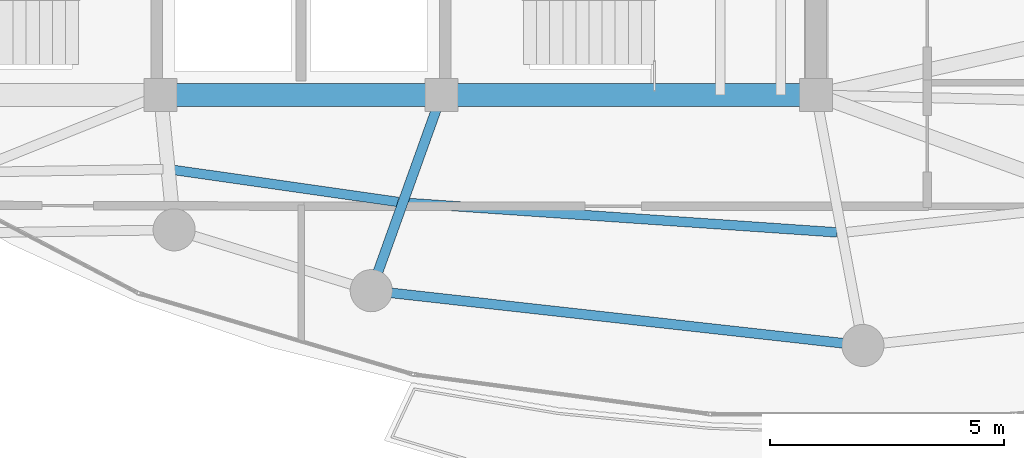
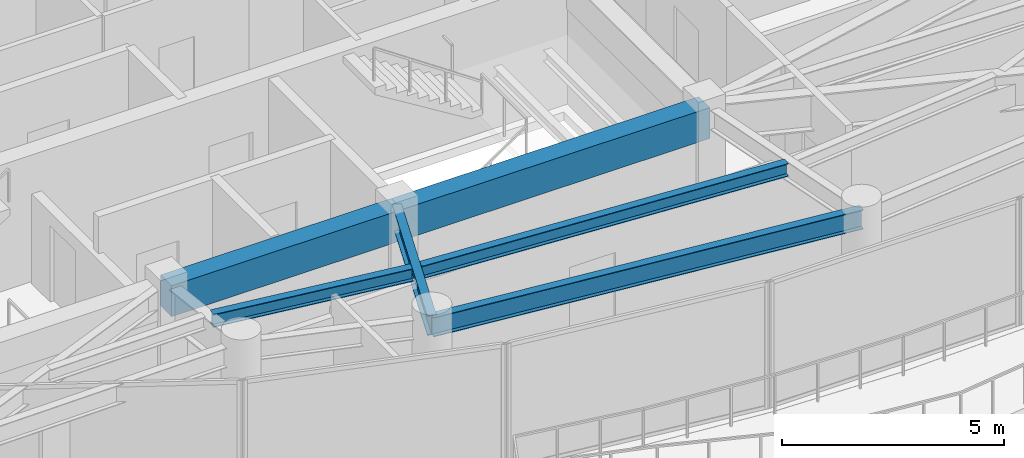
# One storey, part 6 of 29: 6 beams.
"""IFC4 building model written with IfcOpenShell, lengths in metres."""

from ifc_helpers import new_model, si_unit, direction, frame, origin, origin_2d, place, context, subcontext, project, spatial, rectangle, i_section, extrude, material, material_profile, profile_set, type_object, element, save


model = new_model("IFC4")

# Units and contexts
model_context = context("Model", 3, precision=1e-05, world=origin(), true_north=direction((0.0, 1.0)))
body_context = subcontext(model_context, "Body", "Model", "MODEL_VIEW")
ifc_project = project(units=[si_unit("LENGTHUNIT", "METRE"), si_unit("AREAUNIT", "SQUARE_METRE"), si_unit("VOLUMEUNIT", "CUBIC_METRE"), si_unit("PLANEANGLEUNIT", "RADIAN"), si_unit("MASSUNIT", "GRAM", prefix="KILO")], contexts=[model_context])

# Site, building, storey
site_placement = place(None, origin())
site = spatial("IfcSite", under=ifc_project, at=site_placement, CompositionType="ELEMENT")
building_placement = place(site_placement, origin())
building = spatial("IfcBuilding", under=site, at=building_placement, Name="Kazevale Care Tower and Concert Hall", CompositionType="ELEMENT")
storey_placement = place(building_placement, frame((0.0, 0.0, 289.0)))
storey = spatial("IfcBuildingStorey", under=building, at=storey_placement, Name="L76", CompositionType="ELEMENT", Elevation=289.0)

# Beams
ifc_material_1 = material(Name="Concrete C60", Category="concrete")
ifc_material_profile_1 = material_profile(ifc_material_1, rectangle(XDim=0.5, YDim=0.85009765625, at=origin_2d()), Name="RC-B500x850")
ifc_profile_set_1 = profile_set([ifc_material_profile_1], Name="Concrete C60")
beam_type_1 = type_object("IfcBeamType", Name="Core Coupling Beam RC500x850", PredefinedType="LINTEL", material=ifc_profile_set_1)
beam_1_placement = place(storey_placement, frame((30.0, 23.60009765625, 3.054931640625), z_axis=(1.0, 0.0, 0.0), x_axis=(0.0, 1.0, 0.0)))
element("IfcBeam", 1, at=beam_1_placement, inside=storey, type_object=beam_type_1, Name="beam:L76:coretie:2", PredefinedType="LINTEL", context=body_context, shape_type="SweptSolid", body=[
    extrude(rectangle(XDim=0.5, YDim=0.85009765625, at=origin_2d()), origin(), (0.0, 0.0, 1.0), 6.0),
])
beam_2_placement = place(storey_placement, frame((36.0, 23.60009765625, 3.054931640625), z_axis=(1.0, 0.0, 0.0), x_axis=(0.0, 1.0, 0.0)))
element("IfcBeam", 2, at=beam_2_placement, inside=storey, type_object=beam_type_1, Name="beam:L76:coretie:3", PredefinedType="LINTEL", context=body_context, shape_type="SweptSolid", body=[
    extrude(rectangle(XDim=0.5, YDim=0.85009765625, at=origin_2d()), origin(), (0.0, 0.0, 1.0), 8.0),
])
ifc_material_2 = material(Name="Steel ASTM A572 Gr 50", Category="steel")
ifc_material_profile_2 = material_profile(ifc_material_2, i_section(OverallWidth=0.2119140625, OverallDepth=0.5439453125, WebThickness=0.01318359375, FlangeThickness=0.021240234375, at=origin_2d()), Name="W530x123")
ifc_profile_set_2 = profile_set([ifc_material_profile_2], Name="Steel ASTM A572 Gr 50")
beam_type_2 = type_object("IfcBeamType", Name="Radial Floor Girder W530x123", PredefinedType="BEAM", material=ifc_profile_set_2)
beam_3_placement = place(storey_placement, frame((36.0, 23.60009765625, 3.2080078125), z_axis=(-0.33774987593, -0.941235900988, 0.0), x_axis=(0.941235900988, -0.33774987593, 0.0)))
element("IfcBeam", 3, at=beam_3_placement, inside=storey, type_object=beam_type_2, Name="beam:L76:rad:12", PredefinedType="BEAM", context=body_context, shape_type="SweptSolid", body=[
    extrude(i_section(OverallWidth=0.2119140625, OverallDepth=0.5439453125, WebThickness=0.01318359375, FlangeThickness=0.021240234375, at=origin_2d()), origin(), (0.0, 0.0, 1.0), 4.441162109375),
])
ifc_material_profile_3 = material_profile(ifc_material_2, i_section(OverallWidth=0.205078125, OverallDepth=0.35400390625, WebThickness=0.009521484375, FlangeThickness=0.016845703125, at=origin_2d()), Name="W360x79")
ifc_profile_set_3 = profile_set([ifc_material_profile_3], Name="Steel ASTM A572 Gr 50")
beam_type_3 = type_object("IfcBeamType", Name="Secondary Floor Joist W360x79", PredefinedType="JOIST", material=ifc_profile_set_3)
beam_4_placement = place(storey_placement, frame((30.262939453125, 22.0009765625, 3.302978515625), z_axis=(0.99000170599, -0.141055386768, 0.0), x_axis=(0.141055386768, 0.99000170599, 0.0)))
element("IfcBeam", 4, at=beam_4_placement, inside=storey, type_object=beam_type_3, Name="beam:L76:joist:11", PredefinedType="JOIST", context=body_context, shape_type="SweptSolid", body=[
    extrude(i_section(OverallWidth=0.205078125, OverallDepth=0.35400390625, WebThickness=0.009521484375, FlangeThickness=0.016845703125, at=origin_2d()), origin(), (0.0, 0.0, 1.0), 4.856689453125),
])
beam_5_placement = place(storey_placement, frame((35.280029296875, 21.2939453125, 3.302978515625), z_axis=(0.997653920332, -0.068459150207, 0.0), x_axis=(0.068459150207, 0.997653920332, 0.0)))
element("IfcBeam", 5, at=beam_5_placement, inside=storey, type_object=beam_type_3, Name="beam:L76:joist:12", PredefinedType="JOIST", context=body_context, shape_type="SweptSolid", body=[
    extrude(i_section(OverallWidth=0.205078125, OverallDepth=0.35400390625, WebThickness=0.009521484375, FlangeThickness=0.016845703125, at=origin_2d()), origin(), (0.0, 0.0, 1.0), 9.1865234375),
])
ifc_material_profile_4 = material_profile(ifc_material_2, i_section(OverallWidth=0.208984375, OverallDepth=0.532958984375, WebThickness=0.01025390625, FlangeThickness=0.015625, at=origin_2d()), Name="W530x92")
ifc_profile_set_4 = profile_set([ifc_material_profile_4], Name="Steel ASTM A572 Gr 50")
beam_type_4 = type_object("IfcBeamType", Name="Upper Ring Beam W530x92", PredefinedType="BEAM", material=ifc_profile_set_4)
beam_6_placement = place(storey_placement, frame((34.5, 19.419921875, 3.21337890625), z_axis=(0.993849870772, -0.110735876598, 0.0), x_axis=(0.110735876598, 0.993849870772, 0.0)))
element("IfcBeam", 6, at=beam_6_placement, inside=storey, type_object=beam_type_4, Name="beam:L76:ring:12", PredefinedType="BEAM", context=body_context, shape_type="SweptSolid", body=[
    extrude(i_section(OverallWidth=0.208984375, OverallDepth=0.532958984375, WebThickness=0.01025390625, FlangeThickness=0.015625, at=origin_2d()), origin(), (0.0, 0.0, 1.0), 10.56494140625),
])

save(model, "model.ifc")
